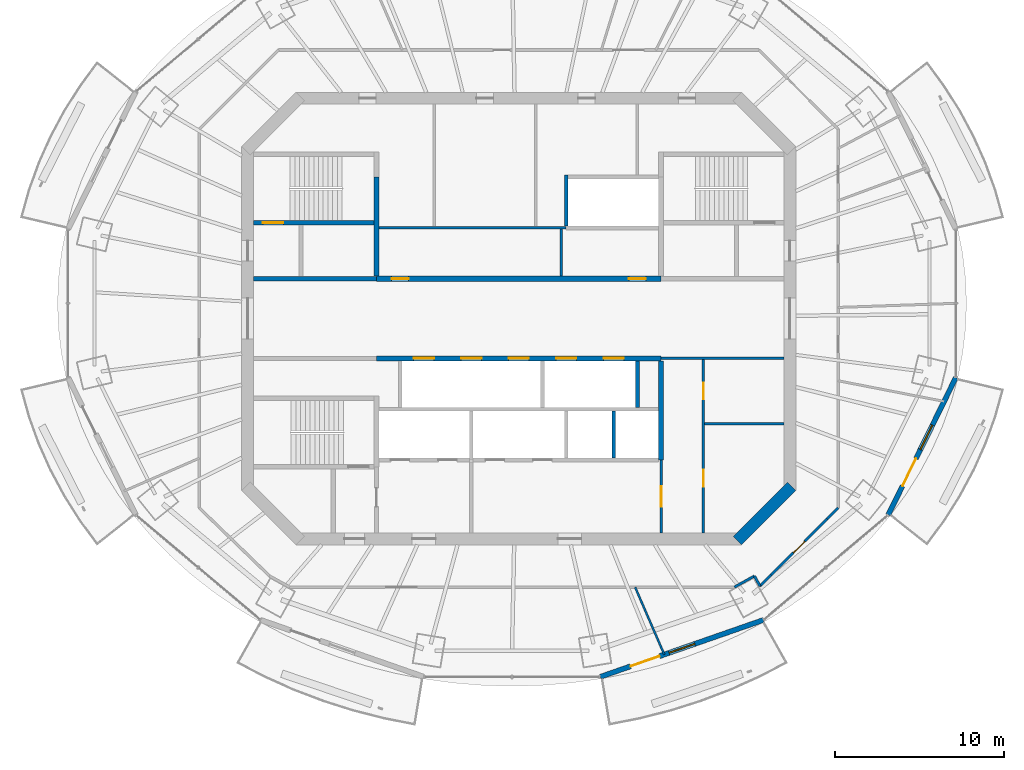
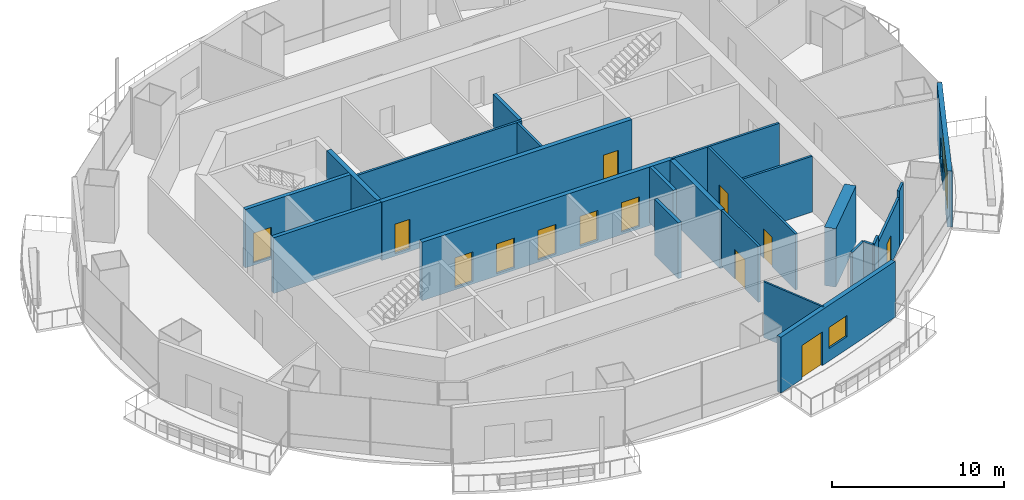
# One storey, part 9 of 16: 24 walls, 14 doors, 2 windows, 16 openings.
"""IFC4 building model written with IfcOpenShell, lengths in metres."""

from ifc_helpers import new_model, si_unit, direction, frame, frame_2d, origin, place, context, subcontext, project, spatial, rectangle, extrude, material, layer, layer_set, type_object, element, fill, save


model = new_model("IFC4")

# Units and contexts
model_context = context("Model", 3, precision=1e-05, world=origin(), true_north=direction((0.0, 1.0)))
body_context = subcontext(model_context, "Body", "Model", "MODEL_VIEW")
ifc_project = project(units=[si_unit("LENGTHUNIT", "METRE"), si_unit("AREAUNIT", "SQUARE_METRE"), si_unit("VOLUMEUNIT", "CUBIC_METRE"), si_unit("PLANEANGLEUNIT", "RADIAN"), si_unit("MASSUNIT", "GRAM", prefix="KILO")], contexts=[model_context])

# Site, building, storey
site_placement = place(None, origin())
site = spatial("IfcSite", under=ifc_project, at=site_placement, CompositionType="ELEMENT")
building_placement = place(site_placement, origin())
building = spatial("IfcBuilding", under=site, at=building_placement, Name="Marenthal Gate Tower", CompositionType="ELEMENT")
storey_placement = place(building_placement, frame((0.0, 0.0, 355.050048828125)))
storey = spatial("IfcBuildingStorey", under=building, at=storey_placement, Name="L80", CompositionType="ELEMENT", Elevation=355.050048828125)

# Wall
ifc_material_1 = material(Name="Concrete 60 MPa", Category="concrete")
ifc_layer_1 = layer(ifc_material_1, 0.699951171875)
ifc_layer_set_1 = layer_set([ifc_layer_1], Name="Core shear wall 700")
wall_type_1 = type_object("IfcWallType", Name="Core shear wall 700", PredefinedType="SHEAR", material=ifc_layer_set_1)
wall_1_placement = place(storey_placement, frame((12.8974609375, -13.1025390625, -0.179931640625), z_axis=(0.0, 0.0, 1.0), x_axis=(0.707106781187, 0.707106781187, 0.0)))
element("IfcWall", 1, at=wall_1_placement, inside=storey, type_object=wall_type_1, Name="Core wall 01", PredefinedType="SHEAR", context=body_context, shape_type="SweptSolid", body=[
    extrude(rectangle(XDim=4.53271484375, YDim=0.699951171875, at=frame_2d((2.266357421875, 0.0))), origin(), (0.0, 0.0, 1.0), 4.14990234375),
])

# Wall, openings, doors
ifc_material_2 = material(Name="Concrete 50 MPa", Category="concrete")
ifc_layer_2 = layer(ifc_material_2, 0.300048828125)
ifc_layer_set_2 = layer_set([ifc_layer_2], Name="Hoistway shear wall 300")
wall_type_2 = type_object("IfcWallType", Name="Hoistway shear wall 300", PredefinedType="SHEAR", material=ifc_layer_set_2)
wall_2_placement = place(storey_placement, frame((-8.39990234375, -2.35009765625, -0.179931640625), z_axis=(0.0, 0.0, 1.0), x_axis=(1.0, 0.0, 0.0)))
wall_2 = element("IfcWall", 2, at=wall_2_placement, inside=storey, type_object=wall_type_2, Name="Hoistway wall 16", PredefinedType="SHEAR", context=body_context, shape_type="SweptSolid", body=[
    extrude(rectangle(XDim=16.7998046875, YDim=0.300048828125, at=frame_2d((8.39990234375, 0.0))), origin(), (0.0, 0.0, 1.0), 4.14990234375),
])
opening_1_placement = place(wall_2_placement, frame((2.199951171875, 0.0, 0.179931640625)))
opening_1 = element("IfcOpeningElement", 3, at=opening_1_placement, cuts=wall_2, Name="Opening LD-HP1", PredefinedType="OPENING", context=body_context, shape_type="SweptSolid", body=[
    extrude(rectangle(XDim=1.199951171875, YDim=2.10009765625, at=frame_2d((0.60009765625, 1.050048828125))), frame((0.0, 0.16015625, 0.0), z_axis=(0.0, -1.0, 0.0), x_axis=(1.0, 0.0, 0.0)), (0.0, 0.0, 1.0), 0.320068359375),
])
opening_2_placement = place(wall_2_placement, frame((5.0, 0.0, 0.179931640625)))
opening_2 = element("IfcOpeningElement", 4, at=opening_2_placement, cuts=wall_2, Name="Opening LD-HP2", PredefinedType="OPENING", context=body_context, shape_type="SweptSolid", body=[
    extrude(rectangle(XDim=1.199951171875, YDim=2.10009765625, at=frame_2d((0.60009765625, 1.050048828125))), frame((0.0, 0.16015625, 0.0), z_axis=(0.0, -1.0, 0.0), x_axis=(1.0, 0.0, 0.0)), (0.0, 0.0, 1.0), 0.320068359375),
])
opening_3_placement = place(wall_2_placement, frame((7.800048828125, 0.0, 0.179931640625)))
opening_3 = element("IfcOpeningElement", 5, at=opening_3_placement, cuts=wall_2, Name="Opening LD-HP3", PredefinedType="OPENING", context=body_context, shape_type="SweptSolid", body=[
    extrude(rectangle(XDim=1.199951171875, YDim=2.10009765625, at=frame_2d((0.60009765625, 1.050048828125))), frame((0.0, 0.16015625, 0.0), z_axis=(0.0, -1.0, 0.0), x_axis=(1.0, 0.0, 0.0)), (0.0, 0.0, 1.0), 0.320068359375),
])
opening_4_placement = place(wall_2_placement, frame((10.60009765625, 0.0, 0.179931640625)))
opening_4 = element("IfcOpeningElement", 6, at=opening_4_placement, cuts=wall_2, Name="Opening LD-HP4", PredefinedType="OPENING", context=body_context, shape_type="SweptSolid", body=[
    extrude(rectangle(XDim=1.199951171875, YDim=2.10009765625, at=frame_2d((0.60009765625, 1.050048828125))), frame((0.0, 0.16015625, 0.0), z_axis=(0.0, -1.0, 0.0), x_axis=(1.0, 0.0, 0.0)), (0.0, 0.0, 1.0), 0.320068359375),
])
opening_5_placement = place(wall_2_placement, frame((13.39990234375, 0.0, 0.179931640625)))
opening_5 = element("IfcOpeningElement", 7, at=opening_5_placement, cuts=wall_2, Name="Opening LD-HP5", PredefinedType="OPENING", context=body_context, shape_type="SweptSolid", body=[
    extrude(rectangle(XDim=1.199951171875, YDim=2.10009765625, at=frame_2d((0.60009765625, 1.050048828125))), frame((0.0, 0.16015625, 0.0), z_axis=(0.0, -1.0, 0.0), x_axis=(1.0, 0.0, 0.0)), (0.0, 0.0, 1.0), 0.320068359375),
])
ifc_material_3 = material(Name="Stainless steel sliding door", Category="steel")
door_type_1 = type_object("IfcDoorType", Name="Lift landing door FD 90 1200 x 2100", OperationType="DOUBLE_DOOR_SLIDING", PredefinedType="DOOR", material=ifc_material_3)
door_1_placement = place(opening_1_placement, origin())
door_1 = element("IfcDoor", 8, at=door_1_placement, inside=storey, type_object=door_type_1, Name="Lift landing door HP1", OperationType="DOUBLE_DOOR_SLIDING", OverallHeight=2.10009765625, OverallWidth=1.199951171875, PredefinedType="DOOR", context=body_context, shape_type="SweptSolid", body=[
    extrude(rectangle(XDim=1.199951171875, YDim=2.10009765625, at=frame_2d((0.60009765625, 1.050048828125))), frame((0.0, 0.02490234375, 0.0), z_axis=(0.0, -1.0, 0.0), x_axis=(1.0, 0.0, 0.0)), (0.0, 0.0, 1.0), 0.050048828125),
])
fill(opening_1, door_1)
door_2_placement = place(opening_2_placement, origin())
door_2 = element("IfcDoor", 9, at=door_2_placement, inside=storey, type_object=door_type_1, Name="Lift landing door HP2", OperationType="DOUBLE_DOOR_SLIDING", OverallHeight=2.10009765625, OverallWidth=1.199951171875, PredefinedType="DOOR", context=body_context, shape_type="SweptSolid", body=[
    extrude(rectangle(XDim=1.199951171875, YDim=2.10009765625, at=frame_2d((0.60009765625, 1.050048828125))), frame((0.0, 0.02490234375, 0.0), z_axis=(0.0, -1.0, 0.0), x_axis=(1.0, 0.0, 0.0)), (0.0, 0.0, 1.0), 0.050048828125),
])
fill(opening_2, door_2)
door_3_placement = place(opening_3_placement, origin())
door_3 = element("IfcDoor", 10, at=door_3_placement, inside=storey, type_object=door_type_1, Name="Lift landing door HP3", OperationType="DOUBLE_DOOR_SLIDING", OverallHeight=2.10009765625, OverallWidth=1.199951171875, PredefinedType="DOOR", context=body_context, shape_type="SweptSolid", body=[
    extrude(rectangle(XDim=1.199951171875, YDim=2.10009765625, at=frame_2d((0.60009765625, 1.050048828125))), frame((0.0, 0.02490234375, 0.0), z_axis=(0.0, -1.0, 0.0), x_axis=(1.0, 0.0, 0.0)), (0.0, 0.0, 1.0), 0.050048828125),
])
fill(opening_3, door_3)
door_4_placement = place(opening_4_placement, origin())
door_4 = element("IfcDoor", 11, at=door_4_placement, inside=storey, type_object=door_type_1, Name="Lift landing door HP4", OperationType="DOUBLE_DOOR_SLIDING", OverallHeight=2.10009765625, OverallWidth=1.199951171875, PredefinedType="DOOR", context=body_context, shape_type="SweptSolid", body=[
    extrude(rectangle(XDim=1.199951171875, YDim=2.10009765625, at=frame_2d((0.60009765625, 1.050048828125))), frame((0.0, 0.02490234375, 0.0), z_axis=(0.0, -1.0, 0.0), x_axis=(1.0, 0.0, 0.0)), (0.0, 0.0, 1.0), 0.050048828125),
])
fill(opening_4, door_4)
door_5_placement = place(opening_5_placement, origin())
door_5 = element("IfcDoor", 12, at=door_5_placement, inside=storey, type_object=door_type_1, Name="Lift landing door HP5", OperationType="DOUBLE_DOOR_SLIDING", OverallHeight=2.10009765625, OverallWidth=1.199951171875, PredefinedType="DOOR", context=body_context, shape_type="SweptSolid", body=[
    extrude(rectangle(XDim=1.199951171875, YDim=2.10009765625, at=frame_2d((0.60009765625, 1.050048828125))), frame((0.0, 0.02490234375, 0.0), z_axis=(0.0, -1.0, 0.0), x_axis=(1.0, 0.0, 0.0)), (0.0, 0.0, 1.0), 0.050048828125),
])
fill(opening_5, door_5)

wall_3_placement = place(storey_placement, frame((-8.39990234375, 2.35009765625, -0.179931640625), z_axis=(0.0, 0.0, 1.0), x_axis=(1.0, 0.0, 0.0)))
wall_3 = element("IfcWall", 13, at=wall_3_placement, inside=storey, type_object=wall_type_2, Name="Hoistway wall 19", PredefinedType="SHEAR", context=body_context, shape_type="SweptSolid", body=[
    extrude(rectangle(XDim=16.7998046875, YDim=0.300048828125, at=frame_2d((8.39990234375, 0.0))), origin(), (0.0, 0.0, 1.0), 4.14990234375),
])
opening_6_placement = place(wall_3_placement, frame((0.89990234375, 0.0, 0.179931640625)))
opening_6 = element("IfcOpeningElement", 14, at=opening_6_placement, cuts=wall_3, Name="Opening D005.01", PredefinedType="OPENING", context=body_context, shape_type="SweptSolid", body=[
    extrude(rectangle(XDim=1.0, YDim=2.10009765625, at=frame_2d((0.5, 1.050048828125))), frame((0.0, 0.16015625, 0.0), z_axis=(0.0, -1.0, 0.0), x_axis=(1.0, 0.0, 0.0)), (0.0, 0.0, 1.0), 0.320068359375),
])
opening_7_placement = place(wall_3_placement, frame((14.89990234375, 0.0, 0.179931640625)))
opening_7 = element("IfcOpeningElement", 15, at=opening_7_placement, cuts=wall_3, Name="Opening D005.02", PredefinedType="OPENING", context=body_context, shape_type="SweptSolid", body=[
    extrude(rectangle(XDim=1.0, YDim=2.10009765625, at=frame_2d((0.5, 1.050048828125))), frame((0.0, 0.16015625, 0.0), z_axis=(0.0, -1.0, 0.0), x_axis=(1.0, 0.0, 0.0)), (0.0, 0.0, 1.0), 0.320068359375),
])
ifc_material_4 = material(Name="Steel fire door", Category="steel")
door_type_2 = type_object("IfcDoorType", Name="Fire door FD 45 1000 x 2100", OperationType="NOTDEFINED", PredefinedType="DOOR", material=ifc_material_4)
door_6_placement = place(opening_6_placement, origin())
door_6 = element("IfcDoor", 16, at=door_6_placement, inside=storey, type_object=door_type_2, Name="Door D005.01", OperationType="SINGLE_SWING_RIGHT", OverallHeight=2.10009765625, OverallWidth=1.0, PredefinedType="DOOR", context=body_context, shape_type="SweptSolid", body=[
    extrude(rectangle(XDim=1.0, YDim=2.10009765625, at=frame_2d((0.5, 1.050048828125))), frame((0.0, 0.02490234375, 0.0), z_axis=(0.0, -1.0, 0.0), x_axis=(1.0, 0.0, 0.0)), (0.0, 0.0, 1.0), 0.050048828125),
])
fill(opening_6, door_6)
door_7_placement = place(opening_7_placement, origin())
door_7 = element("IfcDoor", 17, at=door_7_placement, inside=storey, type_object=door_type_2, Name="Door D005.02", OperationType="SINGLE_SWING_RIGHT", OverallHeight=2.10009765625, OverallWidth=1.0, PredefinedType="DOOR", context=body_context, shape_type="SweptSolid", body=[
    extrude(rectangle(XDim=1.0, YDim=2.10009765625, at=frame_2d((0.5, 1.050048828125))), frame((0.0, 0.02490234375, 0.0), z_axis=(0.0, -1.0, 0.0), x_axis=(1.0, 0.0, 0.0)), (0.0, 0.0, 1.0), 0.050048828125),
])
fill(opening_7, door_7)

# Walls
for number, where, z_axis, x_axis, name in (
    (18, (-8.39990234375, 2.5, -0.179931640625), (0.0, 0.0, 1.0), (0.0, 1.0, 0.0), "Hoistway wall 32"),
    (19, (8.39990234375, -8.35009765625, -0.179931640625), (0.0, 0.0, 1.0), (0.0, 1.0, 0.0), "Hoistway wall 47"),
):
    element("IfcWall", number, at=place(storey_placement, frame(where, z_axis=z_axis, x_axis=x_axis)), inside=storey, type_object=wall_type_2, Name=name, PredefinedType="SHEAR", context=body_context, shape_type="SweptSolid", body=[
        extrude(rectangle(XDim=5.85009765625, YDim=0.300048828125, at=frame_2d((2.925048828125, 0.0))), origin(), (0.0, 0.0, 1.0), 4.14990234375),
    ])
ifc_material_5 = material(Name="Concrete 40 MPa", Category="concrete")
ifc_layer_3 = layer(ifc_material_5, 0.219970703125)
ifc_layer_set_3 = layer_set([ifc_layer_3], Name="Hoistway wall 220")
wall_type_3 = type_object("IfcWallType", Name="Hoistway wall 220", PredefinedType="STANDARD", material=ifc_layer_set_3)
wall_4_placement = place(storey_placement, frame((2.800048828125, 5.4599609375, 0.0), z_axis=(0.0, 0.0, 1.0), x_axis=(0.0, 1.0, 0.0)))
element("IfcWall", 20, at=wall_4_placement, inside=storey, type_object=wall_type_3, Name="Hoistway wall 42", PredefinedType="STANDARD", context=body_context, shape_type="SweptSolid", body=[
    extrude(rectangle(XDim=3.0, YDim=0.219970703125, at=frame_2d((1.5, 0.0))), origin(), (0.0, 0.0, 1.0), 3.969970703125),
])
wall_5_placement = place(storey_placement, frame((5.60009765625, -8.239990234375, 0.0), z_axis=(0.0, 0.0, 1.0), x_axis=(0.0, 1.0, 0.0)))
element("IfcWall", 21, at=wall_5_placement, inside=storey, type_object=wall_type_3, Name="Hoistway wall 43", PredefinedType="STANDARD", context=body_context, shape_type="SweptSolid", body=[
    extrude(rectangle(XDim=2.780029296875, YDim=0.219970703125, at=frame_2d((1.39013671875, 0.0))), origin(), (0.0, 0.0, 1.0), 3.969970703125),
])
wall_6_placement = place(storey_placement, frame((7.0, -5.239990234375, 0.0), z_axis=(0.0, 0.0, 1.0), x_axis=(0.0, 1.0, 0.0)))
element("IfcWall", 22, at=wall_6_placement, inside=storey, type_object=wall_type_3, Name="Hoistway wall 44", PredefinedType="STANDARD", context=body_context, shape_type="SweptSolid", body=[
    extrude(rectangle(XDim=2.739990234375, YDim=0.219970703125, at=frame_2d((1.3701171875, 0.0))), origin(), (0.0, 0.0, 1.0), 3.969970703125),
])
ifc_material_6 = material(Name="Gypsum board on steel studs", Category="steel")
ifc_layer_4 = layer(ifc_material_6, 0.1201171875)
ifc_layer_set_4 = layer_set([ifc_layer_4], Name="Partition 120")
wall_type_4 = type_object("IfcWallType", Name="Partition 120", PredefinedType="PARTITIONING", material=ifc_layer_set_4)
wall_7_placement = place(storey_placement, frame((6.86474609375, -15.85009765625, 0.0), z_axis=(0.0, 0.0, 1.0), x_axis=(0.397444614723, -0.917626164747, 0.0)))
element("IfcWall", 23, at=wall_7_placement, inside=storey, type_object=wall_type_4, Name="Partition wall 60", PredefinedType="PARTITIONING", context=body_context, shape_type="SweptSolid", body=[
    extrude(rectangle(XDim=4.334228515625, YDim=0.1201171875, at=frame_2d((2.1669921875, 0.0))), origin(), (0.0, 0.0, 1.0), 3.969970703125),
])
ifc_material_7 = material(Name="Gypsum board on steel studs", Category="steel")
ifc_layer_5 = layer(ifc_material_7, 0.14990234375)
ifc_layer_set_5 = layer_set([ifc_layer_5], Name="Partition 150")
wall_type_5 = type_object("IfcWallType", Name="Partition 150", PredefinedType="PARTITIONING", material=ifc_layer_set_5)
wall_8_placement = place(storey_placement, frame((10.97509765625, -6.199951171875, 0.0), z_axis=(0.0, 0.0, 1.0), x_axis=(1.0, 0.0, 0.0)))
element("IfcWall", 24, at=wall_8_placement, inside=storey, type_object=wall_type_5, Name="Partition wall 12", PredefinedType="PARTITIONING", context=body_context, shape_type="SweptSolid", body=[
    extrude(rectangle(XDim=4.6748046875, YDim=0.14990234375, at=frame_2d((2.33740234375, 0.0))), origin(), (0.0, 0.0, 1.0), 3.969970703125),
])
wall_9_placement = place(storey_placement, frame((8.39990234375, -2.35009765625, 0.0), z_axis=(0.0, 0.0, 1.0), x_axis=(1.0, 0.0, 0.0)))
element("IfcWall", 25, at=wall_9_placement, inside=storey, type_object=wall_type_5, Name="Partition wall 17", PredefinedType="PARTITIONING", context=body_context, shape_type="SweptSolid", body=[
    extrude(rectangle(XDim=7.25, YDim=0.14990234375, at=frame_2d((3.625, 0.0))), origin(), (0.0, 0.0, 1.0), 3.969970703125),
])
wall_10_placement = place(storey_placement, frame((-8.25, 5.35009765625, 0.0), z_axis=(0.0, 0.0, 1.0), x_axis=(1.0, 0.0, 0.0)))
element("IfcWall", 26, at=wall_10_placement, inside=storey, type_object=wall_type_5, Name="Partition wall 21", PredefinedType="PARTITIONING", context=body_context, shape_type="SweptSolid", body=[
    extrude(rectangle(XDim=11.050048828125, YDim=0.14990234375, at=frame_2d((5.52490234375, 0.0))), origin(), (0.0, 0.0, 1.0), 3.969970703125),
])
wall_11_placement = place(storey_placement, frame((2.52001953125, 2.5, 0.0), z_axis=(0.0, 0.0, 1.0), x_axis=(0.0, 1.0, 0.0)))
element("IfcWall", 27, at=wall_11_placement, inside=storey, type_object=wall_type_5, Name="Partition wall 40", PredefinedType="PARTITIONING", context=body_context, shape_type="SweptSolid", body=[
    extrude(rectangle(XDim=2.77490234375, YDim=0.14990234375, at=frame_2d((1.387451171875, 0.0))), origin(), (0.0, 0.0, 1.0), 3.969970703125),
])

# Wall, opening, door
wall_12_placement = place(storey_placement, frame((8.39990234375, -12.64990234375, 0.0), z_axis=(0.0, 0.0, 1.0), x_axis=(0.0, 1.0, 0.0)))
wall_12 = element("IfcWall", 28, at=wall_12_placement, inside=storey, type_object=wall_type_5, Name="Partition wall 46", PredefinedType="PARTITIONING", context=body_context, shape_type="SweptSolid", body=[
    extrude(rectangle(XDim=4.2998046875, YDim=0.14990234375, at=frame_2d((2.14990234375, 0.0))), origin(), (0.0, 0.0, 1.0), 3.969970703125),
])
opening_8_placement = place(wall_12_placement, frame((1.550048828125, 0.0, 0.0)))
opening_8 = element("IfcOpeningElement", 29, at=opening_8_placement, cuts=wall_12, Name="Opening D006.01", PredefinedType="OPENING", context=body_context, shape_type="SweptSolid", body=[
    extrude(rectangle(XDim=1.199951171875, YDim=2.10009765625, at=frame_2d((0.60009765625, 1.050048828125))), frame((0.0, 0.0849609375, 0.0), z_axis=(0.0, -1.0, 0.0), x_axis=(1.0, 0.0, 0.0)), (0.0, 0.0, 1.0), 0.169921875),
])
ifc_material_8 = material(Name="Steel fire door", Category="steel")
door_type_3 = type_object("IfcDoorType", Name="Fire door FD 45 1200 x 2100", OperationType="NOTDEFINED", PredefinedType="DOOR", material=ifc_material_8)
door_8_placement = place(opening_8_placement, frame((1.199951171875, 0.0, 0.0), z_axis=(0.0, 0.0, 1.0), x_axis=(-1.0, 0.0, 0.0)))
door_8 = element("IfcDoor", 30, at=door_8_placement, inside=storey, type_object=door_type_3, Name="Door D006.01", OperationType="SINGLE_SWING_LEFT", OverallHeight=2.10009765625, OverallWidth=1.199951171875, PredefinedType="DOOR", context=body_context, shape_type="SweptSolid", body=[
    extrude(rectangle(XDim=1.199951171875, YDim=2.10009765625, at=frame_2d((0.60009765625, 1.050048828125))), frame((0.0, 0.02490234375, 0.0), z_axis=(0.0, -1.0, 0.0), x_axis=(1.0, 0.0, 0.0)), (0.0, 0.0, 1.0), 0.050048828125),
])
fill(opening_8, door_8)

# Wall, openings, doors
wall_13_placement = place(storey_placement, frame((10.89990234375, -12.64990234375, 0.0), z_axis=(0.0, 0.0, 1.0), x_axis=(0.0, 1.0, 0.0)))
wall_13 = element("IfcWall", 31, at=wall_13_placement, inside=storey, type_object=wall_type_5, Name="Partition wall 50", PredefinedType="PARTITIONING", context=body_context, shape_type="SweptSolid", body=[
    extrude(rectangle(XDim=10.224853515625, YDim=0.14990234375, at=frame_2d((5.1123046875, 0.0))), origin(), (0.0, 0.0, 1.0), 3.969970703125),
])
opening_9_placement = place(wall_13_placement, frame((7.875, 0.0, 0.0)))
opening_9 = element("IfcOpeningElement", 32, at=opening_9_placement, cuts=wall_13, Name="Opening D005.07", PredefinedType="OPENING", context=body_context, shape_type="SweptSolid", body=[
    extrude(rectangle(XDim=1.0, YDim=2.10009765625, at=frame_2d((0.5, 1.050048828125))), frame((0.0, 0.0849609375, 0.0), z_axis=(0.0, -1.0, 0.0), x_axis=(1.0, 0.0, 0.0)), (0.0, 0.0, 1.0), 0.169921875),
])
opening_10_placement = place(wall_13_placement, frame((2.72509765625, 0.0, 0.0)))
opening_10 = element("IfcOpeningElement", 33, at=opening_10_placement, cuts=wall_13, Name="Opening D005.08", PredefinedType="OPENING", context=body_context, shape_type="SweptSolid", body=[
    extrude(rectangle(XDim=1.0, YDim=2.10009765625, at=frame_2d((0.5, 1.050048828125))), frame((0.0, 0.0849609375, 0.0), z_axis=(0.0, -1.0, 0.0), x_axis=(1.0, 0.0, 0.0)), (0.0, 0.0, 1.0), 0.169921875),
])
door_9_placement = place(opening_9_placement, frame((1.0, 0.0, 0.0), z_axis=(0.0, 0.0, 1.0), x_axis=(-1.0, 0.0, 0.0)))
door_9 = element("IfcDoor", 34, at=door_9_placement, inside=storey, type_object=door_type_2, Name="Door D005.07", OperationType="SINGLE_SWING_LEFT", OverallHeight=2.10009765625, OverallWidth=1.0, PredefinedType="DOOR", context=body_context, shape_type="SweptSolid", body=[
    extrude(rectangle(XDim=1.0, YDim=2.10009765625, at=frame_2d((0.5, 1.050048828125))), frame((0.0, 0.02490234375, 0.0), z_axis=(0.0, -1.0, 0.0), x_axis=(1.0, 0.0, 0.0)), (0.0, 0.0, 1.0), 0.050048828125),
])
fill(opening_9, door_9)
door_10_placement = place(opening_10_placement, frame((1.0, 0.0, 0.0), z_axis=(0.0, 0.0, 1.0), x_axis=(-1.0, 0.0, 0.0)))
door_10 = element("IfcDoor", 35, at=door_10_placement, inside=storey, type_object=door_type_2, Name="Door D005.08", OperationType="SINGLE_SWING_LEFT", OverallHeight=2.10009765625, OverallWidth=1.0, PredefinedType="DOOR", context=body_context, shape_type="SweptSolid", body=[
    extrude(rectangle(XDim=1.0, YDim=2.10009765625, at=frame_2d((0.5, 1.050048828125))), frame((0.0, 0.02490234375, 0.0), z_axis=(0.0, -1.0, 0.0), x_axis=(1.0, 0.0, 0.0)), (0.0, 0.0, 1.0), 0.050048828125),
])
fill(opening_10, door_10)

# Walls
wall_14_placement = place(storey_placement, frame((13.906982421875, -15.194580078125, 0.0), z_axis=(0.0, 0.0, 1.0), x_axis=(-0.874071918373, -0.485796543331, 0.0)))
element("IfcWall", 36, at=wall_14_placement, inside=storey, type_object=wall_type_5, Name="Partition wall 63", PredefinedType="PARTITIONING", context=body_context, shape_type="SweptSolid", body=[
    extrude(rectangle(XDim=1.349365234375, YDim=0.14990234375, at=frame_2d((0.6748046875, 0.0))), origin(), (0.0, 0.0, 1.0), 3.969970703125),
])
wall_15_placement = place(storey_placement, frame((14.23876953125, -15.791748046875, 0.0), z_axis=(0.0, 0.0, 1.0), x_axis=(-0.485673274087, 0.874140418261, 0.0)))
element("IfcWall", 37, at=wall_15_placement, inside=storey, type_object=wall_type_5, Name="Partition wall 65", PredefinedType="PARTITIONING", context=body_context, shape_type="SweptSolid", body=[
    extrude(rectangle(XDim=0.68310546875, YDim=0.14990234375, at=frame_2d((0.341552734375, 0.0))), origin(), (0.0, 0.0, 1.0), 3.969970703125),
])
wall_16_placement = place(storey_placement, frame((18.85009765625, -11.180419921875, 0.0), z_axis=(0.0, 0.0, 1.0), x_axis=(-0.707106781187, -0.707106781187, 0.0)))
element("IfcWall", 38, at=wall_16_placement, inside=storey, type_object=wall_type_5, Name="Partition wall 66", PredefinedType="PARTITIONING", context=body_context, shape_type="SweptSolid", body=[
    extrude(rectangle(XDim=0.904541015625, YDim=0.14990234375, at=frame_2d((0.4521484375, 0.0))), origin(), (0.0, 0.0, 1.0), 3.969970703125),
])

# Wall, opening, door
wall_17_placement = place(storey_placement, frame((18.21044921875, -11.820068359375, 0.0), z_axis=(0.0, 0.0, 1.0), x_axis=(-0.707106781187, -0.707106781187, 0.0)))
wall_17 = element("IfcWall", 39, at=wall_17_placement, inside=storey, type_object=wall_type_5, Name="Partition wall 72", PredefinedType="PARTITIONING", context=body_context, shape_type="SweptSolid", body=[
    extrude(rectangle(XDim=4.6826171875, YDim=0.14990234375, at=frame_2d((2.34130859375, 0.0))), origin(), (0.0, 0.0, 1.0), 3.508056640625),
])
opening_11_placement = place(wall_17_placement, frame((1.881591796875, 0.0, 0.0)))
opening_11 = element("IfcOpeningElement", 40, at=opening_11_placement, cuts=wall_17, Name="Opening D016.05", PredefinedType="OPENING", context=body_context, shape_type="SweptSolid", body=[
    extrude(rectangle(XDim=0.949951171875, YDim=2.10009765625, at=frame_2d((0.47509765625, 1.050048828125))), frame((0.0, 0.0849609375, 0.0), z_axis=(0.0, -1.0, 0.0), x_axis=(1.0, 0.0, 0.0)), (0.0, 0.0, 1.0), 0.169921875),
])
ifc_material_9 = material(Name="Timber door", Category="wood")
door_type_4 = type_object("IfcDoorType", Name="Door 950 x 2100", OperationType="NOTDEFINED", PredefinedType="DOOR", material=ifc_material_9)
door_11_placement = place(opening_11_placement, origin())
door_11 = element("IfcDoor", 41, at=door_11_placement, inside=storey, type_object=door_type_4, Name="Door D016.05", OperationType="SINGLE_SWING_RIGHT", OverallHeight=2.10009765625, OverallWidth=0.949951171875, PredefinedType="DOOR", context=body_context, shape_type="SweptSolid", body=[
    extrude(rectangle(XDim=0.949951171875, YDim=2.10009765625, at=frame_2d((0.47509765625, 1.050048828125))), frame((0.0, 0.02490234375, 0.0), z_axis=(0.0, -1.0, 0.0), x_axis=(1.0, 0.0, 0.0)), (0.0, 0.0, 1.0), 0.050048828125),
])
fill(opening_11, door_11)

# Walls
wall_18_placement = place(storey_placement, frame((14.8994140625, -15.131103515625, 0.0), z_axis=(0.0, 0.0, 1.0), x_axis=(-0.707106781187, -0.707106781187, 0.0)))
element("IfcWall", 42, at=wall_18_placement, inside=storey, type_object=wall_type_5, Name="Partition wall 73", PredefinedType="PARTITIONING", context=body_context, shape_type="SweptSolid", body=[
    extrude(rectangle(XDim=0.934326171875, YDim=0.14990234375, at=frame_2d((0.46728515625, 0.0))), origin(), (0.0, 0.0, 1.0), 3.969970703125),
])
ifc_material_10 = material(Name="Concrete 40 MPa", Category="concrete")
ifc_layer_6 = layer(ifc_material_10, 0.25)
ifc_layer_set_6 = layer_set([ifc_layer_6], Name="Stair enclosure wall 250")
wall_type_6 = type_object("IfcWallType", Name="Stair enclosure wall 250", PredefinedType="STANDARD", material=ifc_layer_set_6)
wall_19_placement = place(storey_placement, frame((-15.64990234375, 2.35009765625, 0.0), z_axis=(0.0, 0.0, 1.0), x_axis=(1.0, 0.0, 0.0)))
element("IfcWall", 43, at=wall_19_placement, inside=storey, type_object=wall_type_6, Name="Stair wall 18", PredefinedType="STANDARD", context=body_context, shape_type="SweptSolid", body=[
    extrude(rectangle(XDim=7.25, YDim=0.25, at=frame_2d((3.625, 0.0))), origin(), (0.0, 0.0, 1.0), 3.969970703125),
])

# Wall, opening, door
ifc_material_11 = material(Name="Concrete 50 MPa", Category="concrete")
ifc_layer_7 = layer(ifc_material_11, 0.25)
ifc_layer_set_7 = layer_set([ifc_layer_7], Name="Stair shear wall 250")
wall_type_7 = type_object("IfcWallType", Name="Stair shear wall 250", PredefinedType="SHEAR", material=ifc_layer_set_7)
wall_20_placement = place(storey_placement, frame((-15.64990234375, 5.64990234375, -0.179931640625), z_axis=(0.0, 0.0, 1.0), x_axis=(1.0, 0.0, 0.0)))
wall_20 = element("IfcWall", 44, at=wall_20_placement, inside=storey, type_object=wall_type_7, Name="Stair wall 23", PredefinedType="SHEAR", context=body_context, shape_type="SweptSolid", body=[
    extrude(rectangle(XDim=7.099853515625, YDim=0.25, at=frame_2d((3.5498046875, 0.0))), origin(), (0.0, 0.0, 1.0), 4.14990234375),
])
opening_12_placement = place(wall_20_placement, frame((0.550048828125, 0.0, 0.179931640625)))
opening_12 = element("IfcOpeningElement", 45, at=opening_12_placement, cuts=wall_20, Name="Opening D001.01", PredefinedType="OPENING", context=body_context, shape_type="SweptSolid", body=[
    extrude(rectangle(XDim=1.199951171875, YDim=2.10009765625, at=frame_2d((0.60009765625, 1.050048828125))), frame((0.0, 0.135009765625, 0.0), z_axis=(0.0, -1.0, 0.0), x_axis=(1.0, 0.0, 0.0)), (0.0, 0.0, 1.0), 0.27001953125),
])
ifc_material_12 = material(Name="Steel fire door", Category="steel")
door_type_5 = type_object("IfcDoorType", Name="Fire door FD 90 1200 x 2100", OperationType="NOTDEFINED", PredefinedType="DOOR", material=ifc_material_12)
door_12_placement = place(opening_12_placement, origin())
door_12 = element("IfcDoor", 46, at=door_12_placement, inside=storey, type_object=door_type_5, Name="Door D001.01", OperationType="SINGLE_SWING_RIGHT", OverallHeight=2.10009765625, OverallWidth=1.199951171875, PredefinedType="DOOR", context=body_context, shape_type="SweptSolid", body=[
    extrude(rectangle(XDim=1.199951171875, YDim=2.10009765625, at=frame_2d((0.60009765625, 1.050048828125))), frame((0.0, 0.02490234375, 0.0), z_axis=(0.0, -1.0, 0.0), x_axis=(1.0, 0.0, 0.0)), (0.0, 0.0, 1.0), 0.050048828125),
])
fill(opening_12, door_12)

# Wall, openings, door, window
ifc_material_13 = material(Name="Terracotta cladding on insulated concrete-block backing", Category="masonry")
ifc_layer_8 = layer(ifc_material_13, 0.300048828125)
ifc_layer_set_8 = layer_set([ifc_layer_8], Name="Terracotta facade wall 300")
wall_type_8 = type_object("IfcWallType", Name="Terracotta facade wall 300", PredefinedType="SOLIDWALL", material=ifc_layer_set_8)
wall_21_placement = place(storey_placement, frame((4.810302734375, -21.14404296875, 0.0), z_axis=(0.0, 0.0, 1.0), x_axis=(0.944274972987, 0.329157675576, 0.0)))
wall_21 = element("IfcWall", 47, at=wall_21_placement, inside=storey, type_object=wall_type_8, Name="Terracotta facade wall L80 bay 13", PredefinedType="SOLIDWALL", context=body_context, shape_type="SweptSolid", body=[
    extrude(rectangle(XDim=10.195556640625, YDim=0.300048828125, at=frame_2d((5.09765625, 0.0))), origin(), (0.0, 0.0, 1.0), 3.969970703125),
])
opening_13_placement = place(wall_21_placement, frame((1.89990234375, 0.0, 0.0)))
opening_13 = element("IfcOpeningElement", 48, at=opening_13_placement, cuts=wall_21, Name="Opening BD-L80-13", PredefinedType="OPENING", context=body_context, shape_type="SweptSolid", body=[
    extrude(rectangle(XDim=1.800048828125, YDim=2.39990234375, at=frame_2d((0.89990234375, 1.199951171875))), frame((0.0, 0.16015625, 0.0), z_axis=(0.0, -1.0, 0.0), x_axis=(1.0, 0.0, 0.0)), (0.0, 0.0, 1.0), 0.320068359375),
])
opening_14_placement = place(wall_21_placement, frame((4.300048828125, 0.0, 0.89990234375)))
opening_14 = element("IfcOpeningElement", 49, at=opening_14_placement, cuts=wall_21, Name="Opening WN3-L80-13", PredefinedType="OPENING", context=body_context, shape_type="SweptSolid", body=[
    extrude(rectangle(XDim=1.60009765625, YDim=1.5, at=frame_2d((0.800048828125, 0.75))), frame((0.0, 0.16015625, 0.0), z_axis=(0.0, -1.0, 0.0), x_axis=(1.0, 0.0, 0.0)), (0.0, 0.0, 1.0), 0.320068359375),
])
ifc_material_14 = material(Name="Aluminium and glass", Category="aluminium")
door_type_6 = type_object("IfcDoorType", Name="Balcony door 1800x2400", OperationType="DOUBLE_DOOR_SINGLE_SWING", PredefinedType="DOOR", material=ifc_material_14)
door_13_placement = place(opening_13_placement, origin())
door_13 = element("IfcDoor", 50, at=door_13_placement, inside=storey, type_object=door_type_6, Name="Balcony door L80 bay 13", OperationType="SINGLE_SWING_LEFT", OverallHeight=2.39990234375, OverallWidth=1.800048828125, PredefinedType="DOOR", context=body_context, shape_type="SweptSolid", body=[
    extrude(rectangle(XDim=1.800048828125, YDim=2.39990234375, at=frame_2d((0.89990234375, 1.199951171875))), frame((0.0, 0.02490234375, 0.0), z_axis=(0.0, -1.0, 0.0), x_axis=(1.0, 0.0, 0.0)), (0.0, 0.0, 1.0), 0.050048828125),
])
fill(opening_13, door_13)
ifc_material_15 = material(Name="Aluminium and glass", Category="aluminium")
window_type = type_object("IfcWindowType", Name="Window 1600x1500", PartitioningType="DOUBLE_PANEL_VERTICAL", PredefinedType="WINDOW", material=ifc_material_15)
window_1_placement = place(opening_14_placement, origin())
window_1 = element("IfcWindow", 51, at=window_1_placement, inside=storey, type_object=window_type, Name="Window L80 bay 13", OverallHeight=1.5, OverallWidth=1.60009765625, PartitioningType="SINGLE_PANEL", PredefinedType="WINDOW", context=body_context, shape_type="SweptSolid", body=[
    extrude(rectangle(XDim=1.60009765625, YDim=1.5, at=frame_2d((0.800048828125, 0.75))), frame((0.0, 0.030029296875, 0.0), z_axis=(0.0, -1.0, 0.0), x_axis=(1.0, 0.0, 0.0)), (0.0, 0.0, 1.0), 0.06005859375),
])
fill(opening_14, window_1)

wall_22_placement = place(storey_placement, frame((21.80615234375, -11.5869140625, 0.0), z_axis=(0.0, 0.0, 1.0), x_axis=(0.441581239579, 0.897221270842, 0.0)))
wall_22 = element("IfcWall", 52, at=wall_22_placement, inside=storey, type_object=wall_type_8, Name="Terracotta facade wall L80 bay 15", PredefinedType="SOLIDWALL", context=body_context, shape_type="SweptSolid", body=[
    extrude(rectangle(XDim=9.0302734375, YDim=0.300048828125, at=frame_2d((4.51513671875, 0.0))), origin(), (0.0, 0.0, 1.0), 3.969970703125),
])
opening_15_placement = place(wall_22_placement, frame((1.89990234375, 0.0, 0.0)))
opening_15 = element("IfcOpeningElement", 53, at=opening_15_placement, cuts=wall_22, Name="Opening BD-L80-15", PredefinedType="OPENING", context=body_context, shape_type="SweptSolid", body=[
    extrude(rectangle(XDim=1.800048828125, YDim=2.39990234375, at=frame_2d((0.89990234375, 1.199951171875))), frame((0.0, 0.16015625, 0.0), z_axis=(0.0, -1.0, 0.0), x_axis=(1.0, 0.0, 0.0)), (0.0, 0.0, 1.0), 0.320068359375),
])
opening_16_placement = place(wall_22_placement, frame((4.300048828125, 0.0, 0.89990234375)))
opening_16 = element("IfcOpeningElement", 54, at=opening_16_placement, cuts=wall_22, Name="Opening WN3-L80-15", PredefinedType="OPENING", context=body_context, shape_type="SweptSolid", body=[
    extrude(rectangle(XDim=1.60009765625, YDim=1.5, at=frame_2d((0.800048828125, 0.75))), frame((0.0, 0.16015625, 0.0), z_axis=(0.0, -1.0, 0.0), x_axis=(1.0, 0.0, 0.0)), (0.0, 0.0, 1.0), 0.320068359375),
])
door_14_placement = place(opening_15_placement, origin())
door_14 = element("IfcDoor", 55, at=door_14_placement, inside=storey, type_object=door_type_6, Name="Balcony door L80 bay 15", OperationType="SINGLE_SWING_LEFT", OverallHeight=2.39990234375, OverallWidth=1.800048828125, PredefinedType="DOOR", context=body_context, shape_type="SweptSolid", body=[
    extrude(rectangle(XDim=1.800048828125, YDim=2.39990234375, at=frame_2d((0.89990234375, 1.199951171875))), frame((0.0, 0.02490234375, 0.0), z_axis=(0.0, -1.0, 0.0), x_axis=(1.0, 0.0, 0.0)), (0.0, 0.0, 1.0), 0.050048828125),
])
fill(opening_15, door_14)
window_2_placement = place(opening_16_placement, origin())
window_2 = element("IfcWindow", 56, at=window_2_placement, inside=storey, type_object=window_type, Name="Window L80 bay 15", OverallHeight=1.5, OverallWidth=1.60009765625, PartitioningType="SINGLE_PANEL", PredefinedType="WINDOW", context=body_context, shape_type="SweptSolid", body=[
    extrude(rectangle(XDim=1.60009765625, YDim=1.5, at=frame_2d((0.800048828125, 0.75))), frame((0.0, 0.030029296875, 0.0), z_axis=(0.0, -1.0, 0.0), x_axis=(1.0, 0.0, 0.0)), (0.0, 0.0, 1.0), 0.06005859375),
])
fill(opening_16, window_2)

save(model, "model.ifc")
